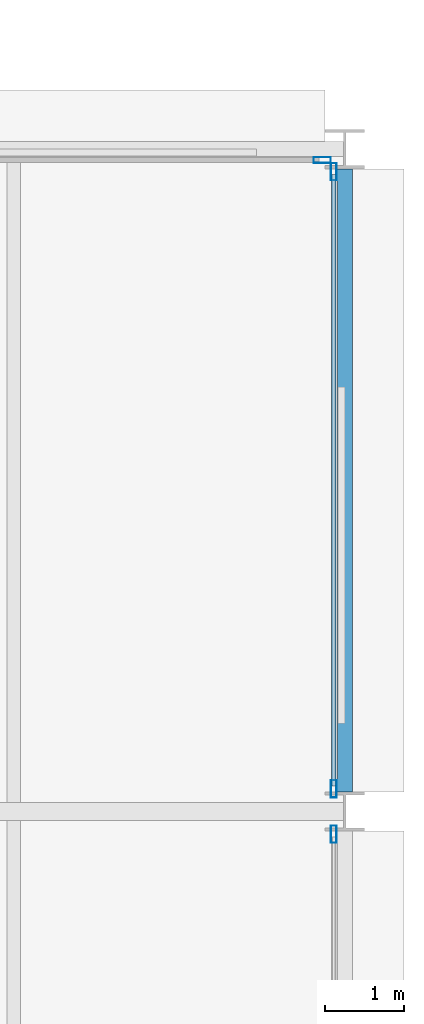
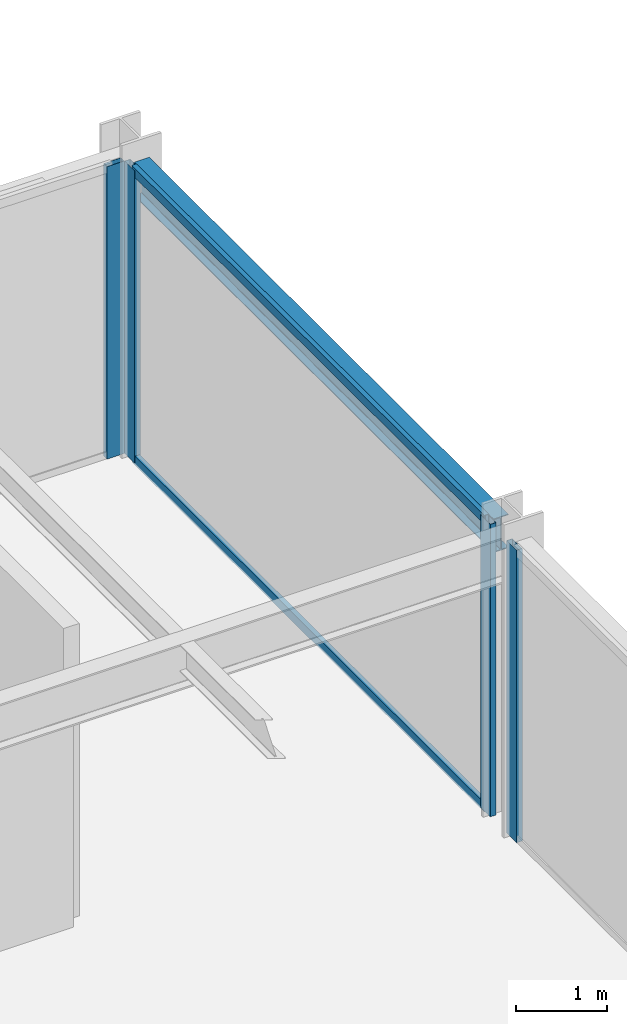
# One storey, part 13 of 25: 6 members, 1 beam, 3 elements without a shape of their own.
"""IFC4 building model written with IfcOpenShell, lengths in metres."""

from ifc_helpers import new_model, si_unit, direction, frame, origin, origin_2d, place, context, subcontext, project, spatial, hollow_rectangle, i_section, extrude, material, layer, layer_set, material_profile, profile_set, type_object, element, aggregate, save


model = new_model("IFC4")

# Units and contexts
model_context = context("Model", 3, precision=1e-05, world=origin(), true_north=direction((0.0, 1.0)))
body_context = subcontext(model_context, "Body", "Model", "MODEL_VIEW")
ifc_project = project(units=[si_unit("LENGTHUNIT", "METRE"), si_unit("AREAUNIT", "SQUARE_METRE"), si_unit("VOLUMEUNIT", "CUBIC_METRE"), si_unit("PLANEANGLEUNIT", "RADIAN"), si_unit("MASSUNIT", "GRAM", prefix="KILO")], contexts=[model_context])

# Site, building, storey
site_placement = place(None, origin())
site = spatial("IfcSite", under=ifc_project, at=site_placement, CompositionType="ELEMENT")
building_placement = place(site_placement, origin())
building = spatial("IfcBuilding", under=site, at=building_placement, Name="Nerrivon Quay Data Exchange", CompositionType="ELEMENT")
storey_placement = place(building_placement, frame((0.0, 0.0, 24.800048828125)))
storey = spatial("IfcBuildingStorey", under=building, at=storey_placement, Name="L05", CompositionType="ELEMENT", Elevation=24.800048828125)

# Beam
ifc_material_1 = material(Name="Steel Grade 350", Category="steel")
ifc_material_profile_1 = material_profile(ifc_material_1, i_section(OverallWidth=0.18994140625, OverallDepth=0.4541015625, WebThickness=0.008544921875, FlangeThickness=0.0126953125, FilletRadius=0.011474609375, at=origin_2d()), Name="460UB67.1")
ifc_profile_set_1 = profile_set([ifc_material_profile_1], Name="Steel Grade 350")
beam_type = type_object("IfcBeamType", Name="BM-SP1-460UB67", PredefinedType="SPANDREL", material=ifc_profile_set_1)
beam_placement = place(storey_placement, frame((50.39990234375, 17.050048828125, 3.697998046875), z_axis=(0.0, 1.0, 0.0), x_axis=(-1.0, 0.0, 0.0)))
element("IfcBeam", 1, at=beam_placement, inside=storey, type_object=beam_type, Name="L05 NS Girder X=50.4 (16.8..25.2)", PredefinedType="SPANDREL", context=body_context, shape_type="SweptSolid", body=[
    extrude(i_section(OverallWidth=0.18994140625, OverallDepth=0.4541015625, WebThickness=0.008544921875, FlangeThickness=0.0126953125, FilletRadius=0.011474609375, at=origin_2d()), origin(), (0.0, 0.0, 1.0), 7.89990234375),
])

# Curtain wall, member
ifc_material_2 = material(Name="Anodised aluminium 6063-T6", Category="aluminium")
ifc_layer = layer(ifc_material_2, 0.219970703125)
ifc_layer_set = layer_set([ifc_layer], Name="Anodised aluminium 6063-T6")
curtain_wall_type = type_object("IfcCurtainWallType", Name="CW-SYS-01", PredefinedType="NOTDEFINED", material=ifc_layer_set)
curtain_wall_1_placement = place(storey_placement, origin())
curtain_wall_1 = element("IfcCurtainWall", 2, at=curtain_wall_1_placement, inside=storey, type_object=curtain_wall_type, Name="L05 Unitised Curtain Wall 30", PredefinedType="NOTDEFINED")
ifc_material_profile_2 = material_profile(ifc_material_2, hollow_rectangle(XDim=0.074951171875, YDim=0.219970703125, WallThickness=0.00390625, at=origin_2d()), Name="ALU-MULL-220x75")
ifc_profile_set_2 = profile_set([ifc_material_profile_2], Name="Anodised aluminium 6063-T6")
member_type_1 = type_object("IfcMemberType", Name="CWM-220x75", PredefinedType="MULLION", material=ifc_profile_set_2)
member_1_placement = place(storey_placement, frame((50.112548828125, 25.06005859375, 0.0), z_axis=(0.0, 0.0, 1.0), x_axis=(0.0, 1.0, 0.0)))
member_1 = element("IfcMember", 3, at=member_1_placement, type_object=member_type_1, Name="CW01 mullion 2", PredefinedType="MULLION", context=body_context, shape_type="SweptSolid", body=[
    extrude(hollow_rectangle(XDim=0.074951171875, YDim=0.219970703125, WallThickness=0.00390625, at=origin_2d()), origin(), (0.0, 0.0, 1.0), 3.925048828125),
])
aggregate(curtain_wall_1, [member_1])

# Curtain wall, members
curtain_wall_2_placement = place(storey_placement, origin())
curtain_wall_2 = element("IfcCurtainWall", 4, at=curtain_wall_2_placement, inside=storey, type_object=curtain_wall_type, Name="L05 Unitised Curtain Wall 31", PredefinedType="NOTDEFINED")
member_2_placement = place(storey_placement, frame((50.260009765625, 24.91259765625, 0.0), z_axis=(0.0, 0.0, 1.0), x_axis=(1.0, 0.0, 0.0)))
member_2 = element("IfcMember", 5, at=member_2_placement, type_object=member_type_1, Name="CW01 mullion 1", PredefinedType="MULLION", context=body_context, shape_type="SweptSolid", body=[
    extrude(hollow_rectangle(XDim=0.074951171875, YDim=0.219970703125, WallThickness=0.00390625, at=origin_2d()), origin(), (0.0, 0.0, 1.0), 3.925048828125),
])
member_3_placement = place(storey_placement, frame((50.260009765625, 17.08740234375, 0.0), z_axis=(0.0, 0.0, 1.0), x_axis=(1.0, 0.0, 0.0)))
member_3 = element("IfcMember", 6, at=member_3_placement, type_object=member_type_1, Name="CW01 mullion 2", PredefinedType="MULLION", context=body_context, shape_type="SweptSolid", body=[
    extrude(hollow_rectangle(XDim=0.074951171875, YDim=0.219970703125, WallThickness=0.00390625, at=origin_2d()), origin(), (0.0, 0.0, 1.0), 3.925048828125),
])

# Curtain wall, member
curtain_wall_3_placement = place(storey_placement, origin())
curtain_wall_3 = element("IfcCurtainWall", 7, at=curtain_wall_3_placement, inside=storey, type_object=curtain_wall_type, Name="L05 Unitised Curtain Wall 32", PredefinedType="NOTDEFINED")
member_4_placement = place(storey_placement, frame((50.260009765625, 16.512451171875, 0.0), z_axis=(0.0, 0.0, 1.0), x_axis=(1.0, 0.0, 0.0)))
member_4 = element("IfcMember", 8, at=member_4_placement, type_object=member_type_1, Name="CW01 mullion 1", PredefinedType="MULLION", context=body_context, shape_type="SweptSolid", body=[
    extrude(hollow_rectangle(XDim=0.074951171875, YDim=0.219970703125, WallThickness=0.00390625, at=origin_2d()), origin(), (0.0, 0.0, 1.0), 3.925048828125),
])
aggregate(curtain_wall_3, [member_4])

# Member
ifc_material_profile_3 = material_profile(ifc_material_2, hollow_rectangle(XDim=0.06005859375, YDim=0.1201171875, WallThickness=0.003173828125, at=origin_2d()), Name="ALU-TRAN-120x60")
ifc_profile_set_3 = profile_set([ifc_material_profile_3], Name="Anodised aluminium 6063-T6")
member_type_2 = type_object("IfcMemberType", Name="CWT-120x60", PredefinedType="USERDEFINED", material=ifc_profile_set_3)
member_5_placement = place(storey_placement, frame((50.260009765625, 24.875, 0.032470703125), z_axis=(0.0, -1.0, 0.0), x_axis=(1.0, 0.0, 0.0)))
member_5 = element("IfcMember", 9, at=member_5_placement, type_object=member_type_2, Name="CW01 transom 1.1", ObjectType="TRANSOM", PredefinedType="USERDEFINED", context=body_context, shape_type="SweptSolid", body=[
    extrude(hollow_rectangle(XDim=0.06005859375, YDim=0.1201171875, WallThickness=0.003173828125, at=origin_2d()), origin(), (0.0, 0.0, 1.0), 7.75),
])

member_6_placement = place(storey_placement, frame((50.260009765625, 24.875, 3.892333984375), z_axis=(0.0, -1.0, 0.0), x_axis=(1.0, 0.0, 0.0)))
member_6 = element("IfcMember", 10, at=member_6_placement, type_object=member_type_2, Name="CW01 transom 1.2", ObjectType="TRANSOM", PredefinedType="USERDEFINED", context=body_context, shape_type="SweptSolid", body=[
    extrude(hollow_rectangle(XDim=0.06005859375, YDim=0.1201171875, WallThickness=0.003173828125, at=origin_2d()), origin(), (0.0, 0.0, 1.0), 7.75),
])

aggregate(curtain_wall_2, [member_2, member_3, member_5, member_6])

save(model, "model.ifc")
